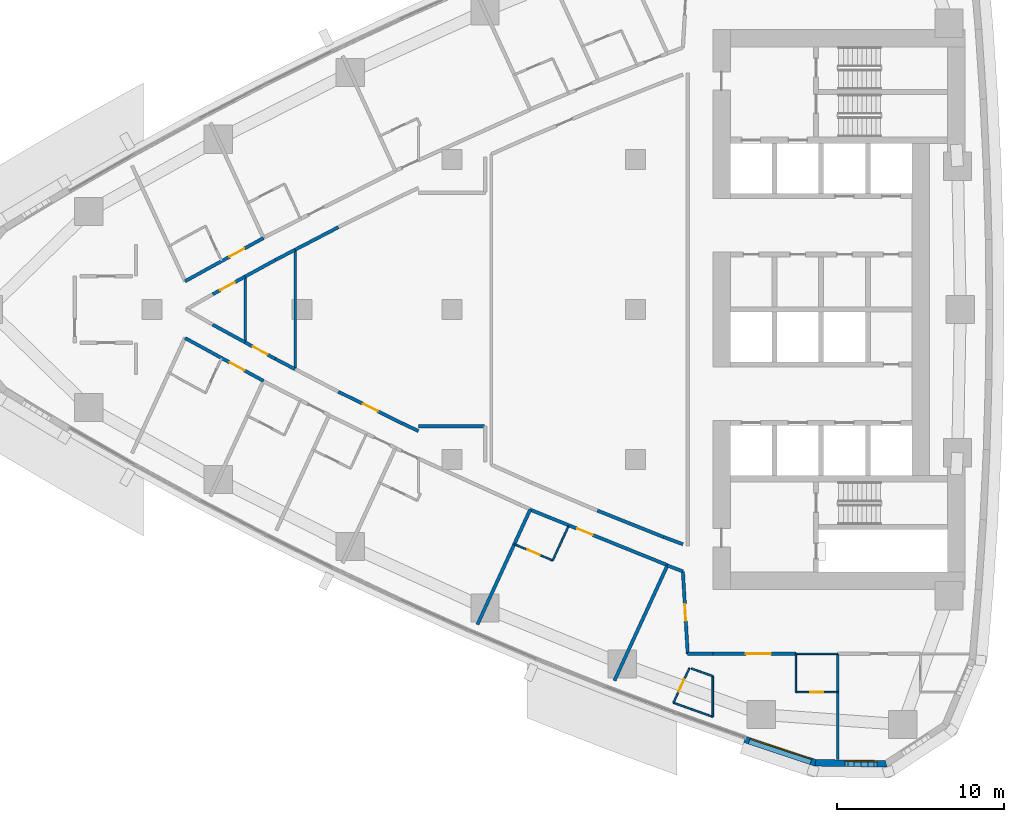
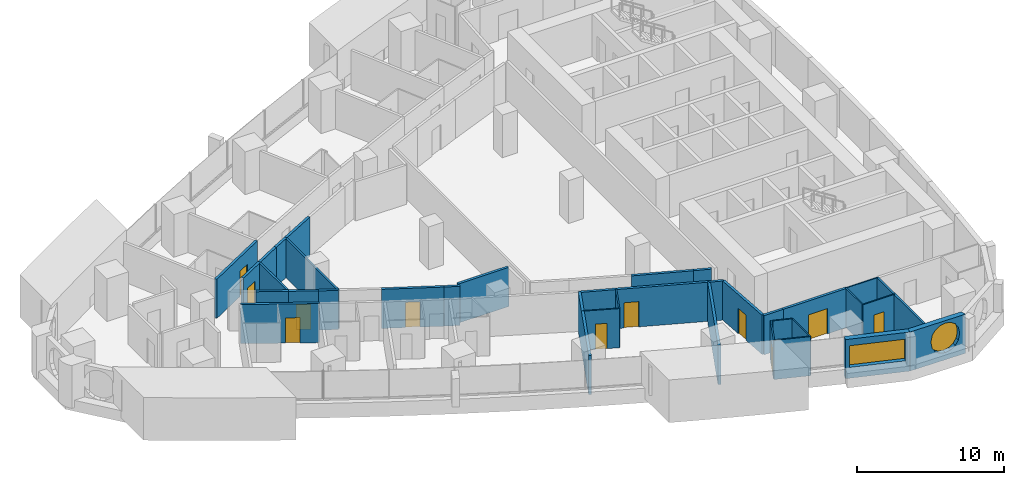
# One storey, part 9 of 17: 35 walls, 11 doors, 2 windows, 13 openings.
"""IFC4 building model written with IfcOpenShell, lengths in metres."""

import ifcopenshell
import ifcopenshell.guid

model = None  # the IFC model being written
_history = None  # IfcOwnerHistory: only IFC2X3 demands one
_inside = {}  # id of a spatial element -> (the spatial element, [elements in it])
_under = {}  # id of a project, library or spatial element -> (it, [spatial elements below it])
_declared = {}  # id of a project -> (the project, [libraries it declares])
_typed = {}  # id of a type object -> (the type object, [elements of that type])
_made_of = {}  # id of a material, layer set ... -> (it, [elements and type objects made of it])


def new_model(schema):
    """Start an empty IFC model of exactly this schema.

    Asked for "IFC4X3", IfcOpenShell would pick the latest addendum, in which some entities
    have other attributes; the version numbers below select the first issue.
    IFC2X3 requires an IfcOwnerHistory on every rooted entity: one is made here for all.
    """
    global model, _history
    if schema == "IFC4X3":
        model = ifcopenshell.file(schema_version=(4, 3, 0, 0))
    else:
        model = ifcopenshell.file(schema=schema)
    _inside.clear()
    _under.clear()
    _declared.clear()
    _typed.clear()
    _made_of.clear()
    _history = None
    if model.schema == "IFC2X3":
        org = make("IfcOrganization", Name="unknown")
        user = make(
            "IfcPersonAndOrganization",
            ThePerson=make("IfcPerson", FamilyName="unknown"),
            TheOrganization=org,
        )
        app = make(
            "IfcApplication",
            ApplicationDeveloper=org,
            Version="unknown",
            ApplicationFullName="unknown",
            ApplicationIdentifier="unknown",
        )
        _history = make(
            "IfcOwnerHistory",
            OwningUser=user,
            OwningApplication=app,
            ChangeAction="ADDED",
            CreationDate=0,
        )
    return model


def make(cls, **values):
    """One entity of the class cls with the attributes given. An attribute that is None is left unset."""
    return model.create_entity(
        cls, **{name: value for name, value in values.items() if value is not None}
    )


def rooted(cls, **values):
    """An entity with a GlobalId (a new one), such as an element, a storey or a relation."""
    return make(cls, GlobalId=ifcopenshell.guid.new(), OwnerHistory=_history, **values)


def si_unit(unit_type, name, prefix=None):
    """IfcSIUnit, for example si_unit("LENGTHUNIT", "METRE", prefix="MILLI")."""
    return make("IfcSIUnit", UnitType=unit_type, Prefix=prefix, Name=name)


def assignment(units):
    """IfcUnitAssignment: the units of a project."""
    return None if units is None else make("IfcUnitAssignment", Units=units)


def point(xyz):
    """IfcCartesianPoint."""
    return None if xyz is None else make("IfcCartesianPoint", Coordinates=xyz)


def direction(xyz):
    """IfcDirection."""
    return None if xyz is None else make("IfcDirection", DirectionRatios=xyz)


def frame(location, z_axis=None, x_axis=None):
    """IfcAxis2Placement3D, a coordinate frame: its origin and axes. An axis left out is left unset."""
    return make(
        "IfcAxis2Placement3D",
        Location=point(location),
        Axis=direction(z_axis),
        RefDirection=direction(x_axis),
    )


def frame_2d(location, x_axis=None):
    """IfcAxis2Placement2D, a coordinate frame in the plane: its origin and x axis."""
    return make(
        "IfcAxis2Placement2D", Location=point(location), RefDirection=direction(x_axis)
    )


def origin():
    """The frame at (0, 0, 0) with its axes left unset."""
    return frame((0.0, 0.0, 0.0))


def place(relative_to, where):
    """IfcLocalPlacement: puts the frame where relative to a parent placement (None: the world)."""
    return make(
        "IfcLocalPlacement", PlacementRelTo=relative_to, RelativePlacement=where
    )


def context(
    kind, dimensions, precision=None, world=None, true_north=None, identifier=None
):
    """IfcGeometricRepresentationContext, for example the 3D "Model" context."""
    return make(
        "IfcGeometricRepresentationContext",
        ContextIdentifier=identifier,
        ContextType=kind,
        CoordinateSpaceDimension=dimensions,
        Precision=precision,
        WorldCoordinateSystem=world,
        TrueNorth=true_north,
    )


def subcontext(parent, identifier, kind, view, scale=None):
    """IfcGeometricRepresentationSubContext, for example "Body" below "Model"."""
    return make(
        "IfcGeometricRepresentationSubContext",
        ContextIdentifier=identifier,
        ContextType=kind,
        ParentContext=parent,
        TargetScale=scale,
        TargetView=view,
    )


def project(units=None, contexts=None):
    """IfcProject with its units and contexts."""
    return rooted(
        "IfcProject",
        Name="project",
        RepresentationContexts=contexts,
        UnitsInContext=assignment(units),
    )


def spatial(cls, under=None, at=None, **own):
    """A site, building, storey or space (cls), placed at a placement, below another one or the project."""
    s = rooted(cls, ObjectPlacement=at, **own)
    if under is not None:
        _under.setdefault(under.id(), (under, []))[1].append(s)
    return s


def polyline(points):
    """IfcPolyline through the points."""
    return make("IfcPolyline", Points=[point(p) for p in points])


def profile(cls, at=None, kind="AREA", **sizes):
    """A parametric profile (cls). Its sizes go by their IFC names, for example OverallWidth=200.0."""
    return make(cls, ProfileType=kind, Position=at, **sizes)


def rectangle(**sizes):
    """IfcRectangleProfileDef."""
    return profile("IfcRectangleProfileDef", **sizes)


def outline(outer, holes=None, kind="AREA"):
    """IfcArbitraryClosedProfileDef: a profile drawn as a closed curve; with holes, ...WithVoids."""
    if holes is None:
        return make("IfcArbitraryClosedProfileDef", ProfileType=kind, OuterCurve=outer)
    return make(
        "IfcArbitraryProfileDefWithVoids",
        ProfileType=kind,
        OuterCurve=outer,
        InnerCurves=holes,
    )


def extrude(swept, where, along, depth):
    """IfcExtrudedAreaSolid: the profile swept, set in the frame where, extruded along a direction by depth."""
    return make(
        "IfcExtrudedAreaSolid",
        SweptArea=swept,
        Position=where,
        ExtrudedDirection=direction(along),
        Depth=depth,
    )


def shape(context_of_items, identifier, shape_type, items):
    """IfcShapeRepresentation: the items that make up one representation, for example the "Body"."""
    return make(
        "IfcShapeRepresentation",
        ContextOfItems=context_of_items,
        RepresentationIdentifier=identifier,
        RepresentationType=shape_type,
        Items=items,
    )


def material(Name=None, Category=None):
    """IfcMaterial."""
    return make("IfcMaterial", Name=Name, Category=Category)


def layer(
    of_material, thickness, ventilated=None, Name=None, Category=None, Priority=None
):
    """IfcMaterialLayer: one layer of a wall or slab, of a material (None: an air gap)."""
    return make(
        "IfcMaterialLayer",
        Material=of_material,
        LayerThickness=thickness,
        IsVentilated=ventilated,
        Name=Name,
        Category=Category,
        Priority=Priority,
    )


def layer_set(layers, Name=None):
    """IfcMaterialLayerSet."""
    return make("IfcMaterialLayerSet", MaterialLayers=layers, LayerSetName=Name)


def made_of(thing, what):
    """Note that an element or type object is made of a material, layer set ...; save() writes the relation."""
    if what is not None:
        _made_of.setdefault(what.id(), (what, []))[1].append(thing)
    return thing


def type_object(cls, material=None, **own):
    """A type object (cls), such as IfcWallType, which elements share."""
    return made_of(rooted(cls, **own), material)


def element(
    cls,
    number,
    at=None,
    inside=None,
    cuts=None,
    type_object=None,
    material=None,
    context=None,
    identifier="Body",
    shape_type=None,
    held_by="IfcProductDefinitionShape",
    body=None,
    shapes=None,
    **own,
):
    """One element of the class cls, such as IfcWall. Its Tag is "e" and its number.

    at: its placement. inside: the storey or other place that contains it. cuts: it is an
    opening in that element (IfcRelVoidsElement). A single representation is given by context,
    identifier, shape_type and body (its items); several are given by shapes. held_by: the class
    of the entity that holds the representations. save() writes the other relations.
    """
    e = rooted(cls, Tag="e%d" % number, ObjectPlacement=at, **own)
    if body is not None:
        shapes = [shape(context, identifier, shape_type, body)]
    if shapes is not None:
        e.Representation = make(held_by, Representations=shapes)
    if inside is not None:
        _inside.setdefault(inside.id(), (inside, []))[1].append(e)
    if cuts is not None:
        rooted(
            "IfcRelVoidsElement", RelatingBuildingElement=cuts, RelatedOpeningElement=e
        )
    if type_object is not None:
        _typed.setdefault(type_object.id(), (type_object, []))[1].append(e)
    return made_of(e, material)


def fill(opening, filler):
    """IfcRelFillsElement: the door or window that sits in an opening."""
    return rooted(
        "IfcRelFillsElement",
        RelatingOpeningElement=opening,
        RelatedBuildingElement=filler,
    )


def aggregate(whole, parts):
    """IfcRelAggregates: a whole, such as a stair, and the parts it consists of."""
    return rooted("IfcRelAggregates", RelatingObject=whole, RelatedObjects=parts)


def save(model, path):
    """Write the relations noted so far, then the file.

    IfcRelAggregates (storeys below a building ...), IfcRelContainedInSpatialStructure (elements
    in a storey), IfcRelDefinesByType, IfcRelAssociatesMaterial and IfcRelDeclares: one each for
    every whole, place, type object, material and project.
    """
    for whole, parts in _under.values():
        aggregate(whole, parts)
    for where, things in _inside.values():
        rooted(
            "IfcRelContainedInSpatialStructure",
            RelatedElements=things,
            RelatingStructure=where,
        )
    for kind, things in _typed.values():
        rooted("IfcRelDefinesByType", RelatedObjects=things, RelatingType=kind)
    for what, things in _made_of.values():
        rooted("IfcRelAssociatesMaterial", RelatedObjects=things, RelatingMaterial=what)
    for by, libraries in _declared.values():
        rooted("IfcRelDeclares", RelatingContext=by, RelatedDefinitions=libraries)
    model.write(path)


model = new_model("IFC4")

# Units and contexts
model_context = context("Model", 3, precision=1e-05, world=origin(), true_north=direction((0.0, 1.0)))
body_context = subcontext(model_context, "Body", "Model", "MODEL_VIEW")
ifc_project = project(units=[si_unit("LENGTHUNIT", "METRE"), si_unit("AREAUNIT", "SQUARE_METRE"), si_unit("VOLUMEUNIT", "CUBIC_METRE"), si_unit("PLANEANGLEUNIT", "RADIAN"), si_unit("MASSUNIT", "GRAM", prefix="KILO")], contexts=[model_context])

# Site, building, storey
site_placement = place(None, origin())
site = spatial("IfcSite", under=ifc_project, at=site_placement, CompositionType="ELEMENT")
building_placement = place(site_placement, origin())
building = spatial("IfcBuilding", under=site, at=building_placement, Name="Ostrand Prow Hotel Tower", CompositionType="ELEMENT")
storey_placement = place(building_placement, frame((0.0, 0.0, 99.10009765625)))
storey = spatial("IfcBuildingStorey", under=building, at=storey_placement, Name="L23", CompositionType="ELEMENT", Elevation=99.10009765625)

# Wall
ifc_material_1 = material(Name="Plasterboard partition")
ifc_layer_1 = layer(ifc_material_1, 0.10009765625)
ifc_layer_set_1 = layer_set([ifc_layer_1], Name="Plasterboard partition")
wall_type_1 = type_object("IfcWallType", Name="Partition 100 bathroom wall", PredefinedType="PARTITIONING", material=ifc_layer_set_1)
wall_1_placement = place(storey_placement, frame((54.630615234375, -22.949951171875, 0.0), z_axis=(0.0, 0.0, 1.0), x_axis=(0.0, 1.0, 0.0)))
element("IfcWall", 1, at=wall_1_placement, inside=storey, type_object=wall_type_1, Name="BATHROOM WALL", PredefinedType="PARTITIONING", context=body_context, shape_type="SweptSolid", body=[
    extrude(rectangle(XDim=2.300048828125, YDim=0.10009765625, at=frame_2d((1.14990234375, 0.0))), origin(), (0.0, 0.0, 1.0), 3.25),
])

# Wall, opening, door
wall_2_placement = place(storey_placement, frame((57.130615234375, -22.949951171875, 0.0), z_axis=(0.0, 0.0, 1.0), x_axis=(-1.0, 0.0, 0.0)))
wall_2 = element("IfcWall", 2, at=wall_2_placement, inside=storey, type_object=wall_type_1, Name="BATHROOM WALL", PredefinedType="PARTITIONING", context=body_context, shape_type="SweptSolid", body=[
    extrude(rectangle(XDim=2.5, YDim=0.10009765625, at=frame_2d((1.25, 0.0))), origin(), (0.0, 0.0, 1.0), 3.25),
])
opening_1_placement = place(wall_2_placement, frame((0.85009765625, 0.0, 0.0)))
opening_1 = element("IfcOpeningElement", 3, at=opening_1_placement, cuts=wall_2, Name="Opening D2", PredefinedType="OPENING", context=body_context, shape_type="SweptSolid", body=[
    extrude(rectangle(XDim=0.800048828125, YDim=2.10009765625, at=frame_2d((0.39990234375, 1.050048828125))), frame((0.0, 0.06005859375, 0.0), z_axis=(0.0, -1.0, 0.0), x_axis=(1.0, 0.0, 0.0)), (0.0, 0.0, 1.0), 0.1201171875),
])
ifc_material_2 = material(Name="Timber door leaf", Category="wood")
door_type_1 = type_object("IfcDoorType", Name="Bathroom door 800", OperationType="SINGLE_SWING_LEFT", PredefinedType="DOOR", material=ifc_material_2)
door_1_placement = place(opening_1_placement, origin())
door_1 = element("IfcDoor", 4, at=door_1_placement, inside=storey, type_object=door_type_1, Name="DOOR", OperationType="SINGLE_SWING_LEFT", OverallHeight=2.10009765625, OverallWidth=0.800048828125, PredefinedType="DOOR", context=body_context, shape_type="SweptSolid", body=[
    extrude(rectangle(XDim=0.800048828125, YDim=2.10009765625, at=frame_2d((0.39990234375, 1.050048828125))), frame((0.0, 0.02490234375, 0.0), z_axis=(0.0, -1.0, 0.0), x_axis=(1.0, 0.0, 0.0)), (0.0, 0.0, 1.0), 0.050048828125),
])
fill(opening_1, door_1)

# Wall
wall_3_placement = place(storey_placement, frame((40.99853515625, -12.983642578125, 0.0), z_axis=(0.0, 0.0, 1.0), x_axis=(-0.417433204355, -0.908707609686, 0.0)))
element("IfcWall", 5, at=wall_3_placement, inside=storey, type_object=wall_type_1, Name="BATHROOM WALL", PredefinedType="PARTITIONING", context=body_context, shape_type="SweptSolid", body=[
    extrude(rectangle(XDim=2.278076171875, YDim=0.10009765625, at=frame_2d((1.13916015625, 0.0))), origin(), (0.0, 0.0, 1.0), 3.25),
])

# Wall, opening, door
wall_4_placement = place(storey_placement, frame((40.047607421875, -15.0537109375, 0.0), z_axis=(0.0, 0.0, 1.0), x_axis=(-0.921042675983, 0.38946166566, 0.0)))
wall_4 = element("IfcWall", 6, at=wall_4_placement, inside=storey, type_object=wall_type_1, Name="BATHROOM WALL", PredefinedType="PARTITIONING", context=body_context, shape_type="SweptSolid", body=[
    extrude(rectangle(XDim=2.501220703125, YDim=0.10009765625, at=frame_2d((1.25048828125, 0.0))), origin(), (0.0, 0.0, 1.0), 3.25),
])
opening_2_placement = place(wall_4_placement, frame((0.85009765625, 0.0, 0.0)))
opening_2 = element("IfcOpeningElement", 7, at=opening_2_placement, cuts=wall_4, Name="Opening D2", PredefinedType="OPENING", context=body_context, shape_type="SweptSolid", body=[
    extrude(rectangle(XDim=0.800048828125, YDim=2.10009765625, at=frame_2d((0.39990234375, 1.050048828125))), frame((0.0, 0.06005859375, 0.0), z_axis=(0.0, -1.0, 0.0), x_axis=(1.0, 0.0, 0.0)), (0.0, 0.0, 1.0), 0.1201171875),
])
door_2_placement = place(opening_2_placement, origin())
door_2 = element("IfcDoor", 8, at=door_2_placement, inside=storey, type_object=door_type_1, Name="DOOR", OperationType="SINGLE_SWING_LEFT", OverallHeight=2.10009765625, OverallWidth=0.800048828125, PredefinedType="DOOR", context=body_context, shape_type="SweptSolid", body=[
    extrude(rectangle(XDim=0.800048828125, YDim=2.10009765625, at=frame_2d((0.39990234375, 1.050048828125))), frame((0.0, 0.02490234375, 0.0), z_axis=(0.0, -1.0, 0.0), x_axis=(1.0, 0.0, 0.0)), (0.0, 0.0, 1.0), 0.050048828125),
])
fill(opening_2, door_2)

# Wall
wall_5_placement = place(storey_placement, frame((48.36279296875, -21.5400390625, 0.0), z_axis=(0.0, 0.0, 1.0), x_axis=(0.942692856107, -0.333661773425, 0.0)))
element("IfcWall", 9, at=wall_5_placement, inside=storey, type_object=wall_type_1, Name="BATHROOM WALL", PredefinedType="PARTITIONING", context=body_context, shape_type="SweptSolid", body=[
    extrude(rectangle(XDim=1.365234375, YDim=0.10009765625, at=frame_2d((0.6826171875, 0.0))), origin(), (0.0, 0.0, 1.0), 3.25),
])

# Wall, opening, door
wall_6_placement = place(storey_placement, frame((47.285888671875, -23.59228515625, 0.0), z_axis=(0.0, 0.0, 1.0), x_axis=(0.41749308293, 0.908680100864, 0.0)))
wall_6 = element("IfcWall", 10, at=wall_6_placement, inside=storey, type_object=wall_type_1, Name="BATHROOM WALL", PredefinedType="PARTITIONING", context=body_context, shape_type="SweptSolid", body=[
    extrude(rectangle(XDim=2.3056640625, YDim=0.10009765625, at=frame_2d((1.15283203125, 0.0))), origin(), (0.0, 0.0, 1.0), 3.25),
])
opening_3_placement = place(wall_6_placement, frame((0.75, 0.0, 0.0)))
opening_3 = element("IfcOpeningElement", 11, at=opening_3_placement, cuts=wall_6, Name="Opening D2", PredefinedType="OPENING", context=body_context, shape_type="SweptSolid", body=[
    extrude(rectangle(XDim=0.800048828125, YDim=2.10009765625, at=frame_2d((0.39990234375, 1.050048828125))), frame((0.0, 0.06005859375, 0.0), z_axis=(0.0, -1.0, 0.0), x_axis=(1.0, 0.0, 0.0)), (0.0, 0.0, 1.0), 0.1201171875),
])
door_3_placement = place(opening_3_placement, origin())
door_3 = element("IfcDoor", 12, at=door_3_placement, inside=storey, type_object=door_type_1, Name="DOOR", OperationType="SINGLE_SWING_LEFT", OverallHeight=2.10009765625, OverallWidth=0.800048828125, PredefinedType="DOOR", context=body_context, shape_type="SweptSolid", body=[
    extrude(rectangle(XDim=0.800048828125, YDim=2.10009765625, at=frame_2d((0.39990234375, 1.050048828125))), frame((0.0, 0.02490234375, 0.0), z_axis=(0.0, -1.0, 0.0), x_axis=(1.0, 0.0, 0.0)), (0.0, 0.0, 1.0), 0.050048828125),
])
fill(opening_3, door_3)

# Walls
wall_7_placement = place(storey_placement, frame((54.630615234375, -20.655029296875, 0.0), z_axis=(0.0, 0.0, 1.0), x_axis=(1.0, 0.0, 0.0)))
element("IfcWall", 13, at=wall_7_placement, inside=storey, type_object=wall_type_1, Name="BATHROOM WALL", PredefinedType="PARTITIONING", context=body_context, shape_type="SweptSolid", body=[
    extrude(rectangle(XDim=2.5, YDim=0.10009765625, at=frame_2d((1.25, 0.0))), origin(), (0.0, 0.0, 1.0), 3.25),
])
wall_8_placement = place(storey_placement, frame((49.64990234375, -21.99560546875, 0.0), z_axis=(0.0, 0.0, 1.0), x_axis=(0.0, -1.0, 0.0)))
element("IfcWall", 14, at=wall_8_placement, inside=storey, type_object=wall_type_1, Name="BATHROOM WALL", PredefinedType="PARTITIONING", context=body_context, shape_type="SweptSolid", body=[
    extrude(rectangle(XDim=2.439453125, YDim=0.10009765625, at=frame_2d((1.2197265625, 0.0))), origin(), (0.0, 0.0, 1.0), 3.25),
])
wall_9_placement = place(storey_placement, frame((49.64990234375, -24.43505859375, 0.0), z_axis=(0.0, 0.0, 1.0), x_axis=(-0.941933231826, 0.335800218555, 0.0)))
element("IfcWall", 15, at=wall_9_placement, inside=storey, type_object=wall_type_1, Name="BATHROOM WALL", PredefinedType="PARTITIONING", context=body_context, shape_type="SweptSolid", body=[
    extrude(rectangle(XDim=2.509765625, YDim=0.10009765625, at=frame_2d((1.2548828125, 0.0))), origin(), (0.0, 0.0, 1.0), 3.25),
])
ifc_material_3 = material(Name="Plasterboard partition")
ifc_layer_2 = layer(ifc_material_3, 0.14990234375)
ifc_layer_set_2 = layer_set([ifc_layer_2], Name="Plasterboard partition")
wall_type_2 = type_object("IfcWallType", Name="Partition 150 room partition", PredefinedType="PARTITIONING", material=ifc_layer_set_2)
wall_10_placement = place(storey_placement, frame((57.130615234375, -26.97900390625, 0.0), z_axis=(0.0, 0.0, 1.0), x_axis=(0.0, 1.0, 0.0)))
element("IfcWall", 16, at=wall_10_placement, inside=storey, type_object=wall_type_2, Name="ROOM PARTITION", PredefinedType="PARTITIONING", context=body_context, shape_type="SweptSolid", body=[
    extrude(rectangle(XDim=6.3291015625, YDim=0.14990234375, at=frame_2d((3.16455078125, 0.0))), origin(), (0.0, 0.0, 1.0), 3.25),
])
wall_11_placement = place(storey_placement, frame((21.59765625, -1.972900390625, 0.0), z_axis=(0.0, 0.0, 1.0), x_axis=(0.0, 1.0, 0.0)))
element("IfcWall", 17, at=wall_11_placement, inside=storey, type_object=wall_type_2, Name="ROOM PARTITION", PredefinedType="PARTITIONING", context=body_context, shape_type="SweptSolid", body=[
    extrude(rectangle(XDim=3.94580078125, YDim=0.14990234375, at=frame_2d((1.972900390625, 0.0))), origin(), (0.0, 0.0, 1.0), 3.25),
])
wall_12_placement = place(storey_placement, frame((24.59765625, -3.582275390625, 0.0), z_axis=(0.0, 0.0, 1.0), x_axis=(0.0, 1.0, 0.0)))
element("IfcWall", 18, at=wall_12_placement, inside=storey, type_object=wall_type_2, Name="ROOM PARTITION", PredefinedType="PARTITIONING", context=body_context, shape_type="SweptSolid", body=[
    extrude(rectangle(XDim=7.16455078125, YDim=0.14990234375, at=frame_2d((3.582275390625, 0.0))), origin(), (0.0, 0.0, 1.0), 3.25),
])

# Wall, opening, door
ifc_material_4 = material(Name="Plasterboard partition")
ifc_layer_3 = layer(ifc_material_4, 0.199951171875)
ifc_layer_set_3 = layer_set([ifc_layer_3], Name="Plasterboard partition")
wall_type_3 = type_object("IfcWallType", Name="Partition 200 corridor wall", PredefinedType="PARTITIONING", material=ifc_layer_set_3)
wall_13_placement = place(storey_placement, frame((18.0, 1.691650390625, 0.0), z_axis=(0.0, 0.0, 1.0), x_axis=(0.875548487611, 0.483130257634, 0.0)))
wall_13 = element("IfcWall", 19, at=wall_13_placement, inside=storey, type_object=wall_type_3, Name="CORRIDOR WALL", PredefinedType="PARTITIONING", context=body_context, shape_type="SweptSolid", body=[
    extrude(rectangle(XDim=5.36669921875, YDim=0.199951171875, at=frame_2d((2.683349609375, 0.0))), origin(), (0.0, 0.0, 1.0), 3.25),
])
opening_4_placement = place(wall_13_placement, frame((3.050048828125, 0.0, 0.0)))
opening_4 = element("IfcOpeningElement", 20, at=opening_4_placement, cuts=wall_13, Name="Opening D1", PredefinedType="OPENING", context=body_context, shape_type="SweptSolid", body=[
    extrude(rectangle(XDim=1.0, YDim=2.10009765625, at=frame_2d((0.5, 1.050048828125))), frame((0.0, 0.10986328125, 0.0), z_axis=(0.0, -1.0, 0.0), x_axis=(1.0, 0.0, 0.0)), (0.0, 0.0, 1.0), 0.219970703125),
])
ifc_material_5 = material(Name="Timber door leaf", Category="wood")
door_type_2 = type_object("IfcDoorType", Name="Guest room door 1000", OperationType="SINGLE_SWING_LEFT", PredefinedType="DOOR", material=ifc_material_5)
door_4_placement = place(opening_4_placement, origin())
door_4 = element("IfcDoor", 21, at=door_4_placement, inside=storey, type_object=door_type_2, Name="DOOR", OperationType="SINGLE_SWING_LEFT", OverallHeight=2.10009765625, OverallWidth=1.0, PredefinedType="DOOR", context=body_context, shape_type="SweptSolid", body=[
    extrude(rectangle(XDim=1.0, YDim=2.10009765625, at=frame_2d((0.5, 1.050048828125))), frame((0.0, 0.02490234375, 0.0), z_axis=(0.0, -1.0, 0.0), x_axis=(1.0, 0.0, 0.0)), (0.0, 0.0, 1.0), 0.050048828125),
])
fill(opening_4, door_4)

wall_14_placement = place(storey_placement, frame((18.0, -1.714599609375, 0.0), z_axis=(0.0, 0.0, 1.0), x_axis=(0.877354946945, -0.479841950096, 0.0)))
wall_14 = element("IfcWall", 22, at=wall_14_placement, inside=storey, type_object=wall_type_3, Name="CORRIDOR WALL", PredefinedType="PARTITIONING", context=body_context, shape_type="SweptSolid", body=[
    extrude(rectangle(XDim=5.35546875, YDim=0.199951171875, at=frame_2d((2.677734375, 0.0))), origin(), (0.0, 0.0, 1.0), 3.25),
])
opening_5_placement = place(wall_14_placement, frame((3.050048828125, 0.0, 0.0)))
opening_5 = element("IfcOpeningElement", 23, at=opening_5_placement, cuts=wall_14, Name="Opening D1R", PredefinedType="OPENING", context=body_context, shape_type="SweptSolid", body=[
    extrude(rectangle(XDim=1.0, YDim=2.10009765625, at=frame_2d((0.5, 1.050048828125))), frame((0.0, 0.10986328125, 0.0), z_axis=(0.0, -1.0, 0.0), x_axis=(1.0, 0.0, 0.0)), (0.0, 0.0, 1.0), 0.219970703125),
])
ifc_material_6 = material(Name="Timber door leaf", Category="wood")
door_type_3 = type_object("IfcDoorType", Name="Guest room door 1000 right", OperationType="SINGLE_SWING_RIGHT", PredefinedType="DOOR", material=ifc_material_6)
door_5_placement = place(opening_5_placement, origin())
door_5 = element("IfcDoor", 24, at=door_5_placement, inside=storey, type_object=door_type_3, Name="DOOR", OperationType="SINGLE_SWING_RIGHT", OverallHeight=2.10009765625, OverallWidth=1.0, PredefinedType="DOOR", context=body_context, shape_type="SweptSolid", body=[
    extrude(rectangle(XDim=1.0, YDim=2.10009765625, at=frame_2d((0.5, 1.050048828125))), frame((0.0, 0.02490234375, 0.0), z_axis=(0.0, -1.0, 0.0), x_axis=(1.0, 0.0, 0.0)), (0.0, 0.0, 1.0), 0.050048828125),
])
fill(opening_5, door_5)

wall_15_placement = place(storey_placement, frame((38.696044921875, -12.0068359375, 0.0), z_axis=(0.0, 0.0, 1.0), x_axis=(0.927027566285, -0.374993188401, 0.0)))
wall_15 = element("IfcWall", 25, at=wall_15_placement, inside=storey, type_object=wall_type_3, Name="CORRIDOR WALL", PredefinedType="PARTITIONING", context=body_context, shape_type="SweptSolid", body=[
    extrude(rectangle(XDim=8.885009765625, YDim=0.199951171875, at=frame_2d((4.4423828125, 0.0))), origin(), (0.0, 0.0, 1.0), 3.25),
])
opening_6_placement = place(wall_15_placement, frame((3.050048828125, 0.0, 0.0)))
opening_6 = element("IfcOpeningElement", 26, at=opening_6_placement, cuts=wall_15, Name="Opening D1R", PredefinedType="OPENING", context=body_context, shape_type="SweptSolid", body=[
    extrude(rectangle(XDim=1.0, YDim=2.10009765625, at=frame_2d((0.5, 1.050048828125))), frame((0.0, 0.10986328125, 0.0), z_axis=(0.0, -1.0, 0.0), x_axis=(1.0, 0.0, 0.0)), (0.0, 0.0, 1.0), 0.219970703125),
])
door_6_placement = place(opening_6_placement, origin())
door_6 = element("IfcDoor", 27, at=door_6_placement, inside=storey, type_object=door_type_3, Name="DOOR", OperationType="SINGLE_SWING_RIGHT", OverallHeight=2.10009765625, OverallWidth=1.0, PredefinedType="DOOR", context=body_context, shape_type="SweptSolid", body=[
    extrude(rectangle(XDim=1.0, YDim=2.10009765625, at=frame_2d((0.5, 1.050048828125))), frame((0.0, 0.02490234375, 0.0), z_axis=(0.0, -1.0, 0.0), x_axis=(1.0, 0.0, 0.0)), (0.0, 0.0, 1.0), 0.050048828125),
])
fill(opening_6, door_6)

wall_16_placement = place(storey_placement, frame((19.6572265625, 0.912353515625, 0.0), z_axis=(0.0, 0.0, 1.0), x_axis=(0.877490210137, 0.479594548671, 0.0)))
wall_16 = element("IfcWall", 28, at=wall_16_placement, inside=storey, type_object=wall_type_3, Name="CORRIDOR WALL", PredefinedType="PARTITIONING", context=body_context, shape_type="SweptSolid", body=[
    extrude(rectangle(XDim=2.21142578125, YDim=0.199951171875, at=frame_2d((1.105712890625, 0.0))), origin(), (0.0, 0.0, 1.0), 3.25),
])
opening_7_placement = place(wall_16_placement, frame((0.505615234375, 0.0, 0.0)))
opening_7 = element("IfcOpeningElement", 29, at=opening_7_placement, cuts=wall_16, Name="Opening D1R", PredefinedType="OPENING", context=body_context, shape_type="SweptSolid", body=[
    extrude(rectangle(XDim=1.0, YDim=2.10009765625, at=frame_2d((0.5, 1.050048828125))), frame((0.0, 0.10986328125, 0.0), z_axis=(0.0, -1.0, 0.0), x_axis=(1.0, 0.0, 0.0)), (0.0, 0.0, 1.0), 0.219970703125),
])
door_7_placement = place(opening_7_placement, origin())
door_7 = element("IfcDoor", 30, at=door_7_placement, inside=storey, type_object=door_type_3, Name="DOOR", OperationType="SINGLE_SWING_RIGHT", OverallHeight=2.10009765625, OverallWidth=1.0, PredefinedType="DOOR", context=body_context, shape_type="SweptSolid", body=[
    extrude(rectangle(XDim=1.0, YDim=2.10009765625, at=frame_2d((0.5, 1.050048828125))), frame((0.0, 0.02490234375, 0.0), z_axis=(0.0, -1.0, 0.0), x_axis=(1.0, 0.0, 0.0)), (0.0, 0.0, 1.0), 0.050048828125),
])
fill(opening_7, door_7)

# Wall
wall_17_placement = place(storey_placement, frame((21.59765625, -1.972900390625, 0.0), z_axis=(0.0, 0.0, 1.0), x_axis=(-0.877490210137, 0.479594548671, 0.0)))
element("IfcWall", 31, at=wall_17_placement, inside=storey, type_object=wall_type_3, Name="CORRIDOR WALL", PredefinedType="PARTITIONING", context=body_context, shape_type="SweptSolid", body=[
    extrude(rectangle(XDim=2.21142578125, YDim=0.199951171875, at=frame_2d((1.105712890625, 0.0))), origin(), (0.0, 0.0, 1.0), 3.25),
])

# Wall, opening, door
wall_18_placement = place(storey_placement, frame((23.40673828125, -2.9619140625, 0.0), z_axis=(0.0, 0.0, 1.0), x_axis=(-0.877438115071, 0.479689852113, 0.0)))
wall_18 = element("IfcWall", 32, at=wall_18_placement, inside=storey, type_object=wall_type_3, Name="CORRIDOR WALL", PredefinedType="PARTITIONING", context=body_context, shape_type="SweptSolid", body=[
    extrude(rectangle(XDim=2.061767578125, YDim=0.199951171875, at=frame_2d((1.03076171875, 0.0))), origin(), (0.0, 0.0, 1.0), 3.25),
])
opening_8_placement = place(wall_18_placement, frame((0.531005859375, 0.0, 0.0)))
opening_8 = element("IfcOpeningElement", 33, at=opening_8_placement, cuts=wall_18, Name="Opening D1", PredefinedType="OPENING", context=body_context, shape_type="SweptSolid", body=[
    extrude(rectangle(XDim=1.0, YDim=2.10009765625, at=frame_2d((0.5, 1.050048828125))), frame((0.0, 0.10986328125, 0.0), z_axis=(0.0, -1.0, 0.0), x_axis=(1.0, 0.0, 0.0)), (0.0, 0.0, 1.0), 0.219970703125),
])
door_8_placement = place(opening_8_placement, origin())
door_8 = element("IfcDoor", 34, at=door_8_placement, inside=storey, type_object=door_type_2, Name="DOOR", OperationType="SINGLE_SWING_LEFT", OverallHeight=2.10009765625, OverallWidth=1.0, PredefinedType="DOOR", context=body_context, shape_type="SweptSolid", body=[
    extrude(rectangle(XDim=1.0, YDim=2.10009765625, at=frame_2d((0.5, 1.050048828125))), frame((0.0, 0.02490234375, 0.0), z_axis=(0.0, -1.0, 0.0), x_axis=(1.0, 0.0, 0.0)), (0.0, 0.0, 1.0), 0.050048828125),
])
fill(opening_8, door_8)

# Walls
wall_19_placement = place(storey_placement, frame((21.59765625, 1.972900390625, 0.0), z_axis=(0.0, 0.0, 1.0), x_axis=(0.877438115071, 0.479689852113, 0.0)))
element("IfcWall", 35, at=wall_19_placement, inside=storey, type_object=wall_type_3, Name="CORRIDOR WALL", PredefinedType="PARTITIONING", context=body_context, shape_type="SweptSolid", body=[
    extrude(rectangle(XDim=2.061767578125, YDim=0.199951171875, at=frame_2d((1.03076171875, 0.0))), origin(), (0.0, 0.0, 1.0), 3.25),
])
for number, where, z_axis, x_axis, name in (
    (36, (23.40673828125, 2.9619140625, 0.0), (0.0, 0.0, 1.0), (0.88688614944, 0.461988049555, 0.0), "CORRIDOR WALL"),
    (37, (24.59765625, -3.582275390625, 0.0), (0.0, 0.0, 1.0), (-0.88688614944, 0.461988049555, 0.0), "CORRIDOR WALL"),
):
    element("IfcWall", number, at=place(storey_placement, frame(where, z_axis=z_axis, x_axis=x_axis)), inside=storey, type_object=wall_type_3, Name=name, PredefinedType="PARTITIONING", context=body_context, shape_type="SweptSolid", body=[
        extrude(rectangle(XDim=1.3427734375, YDim=0.199951171875, at=frame_2d((0.67138671875, 0.0))), origin(), (0.0, 0.0, 1.0), 3.25),
    ])

# Wall, opening, door
wall_20_placement = place(storey_placement, frame((31.02490234375, -6.83349609375, 0.0), z_axis=(0.0, 0.0, 1.0), x_axis=(-0.895975836328, 0.44410280422, 0.0)))
wall_20 = element("IfcWall", 38, at=wall_20_placement, inside=storey, type_object=wall_type_3, Name="CORRIDOR WALL", PredefinedType="PARTITIONING", context=body_context, shape_type="SweptSolid", body=[
    extrude(rectangle(XDim=4.273193359375, YDim=0.199951171875, at=frame_2d((2.13671875, 0.0))), origin(), (0.0, 0.0, 1.0), 3.25),
])
opening_9_placement = place(wall_20_placement, frame((1.636474609375, 0.0, 0.0)))
opening_9 = element("IfcOpeningElement", 39, at=opening_9_placement, cuts=wall_20, Name="Opening D1R", PredefinedType="OPENING", context=body_context, shape_type="SweptSolid", body=[
    extrude(rectangle(XDim=1.0, YDim=2.10009765625, at=frame_2d((0.5, 1.050048828125))), frame((0.0, 0.10986328125, 0.0), z_axis=(0.0, -1.0, 0.0), x_axis=(1.0, 0.0, 0.0)), (0.0, 0.0, 1.0), 0.219970703125),
])
door_9_placement = place(opening_9_placement, origin())
door_9 = element("IfcDoor", 40, at=door_9_placement, inside=storey, type_object=door_type_3, Name="DOOR", OperationType="SINGLE_SWING_RIGHT", OverallHeight=2.10009765625, OverallWidth=1.0, PredefinedType="DOOR", context=body_context, shape_type="SweptSolid", body=[
    extrude(rectangle(XDim=1.0, YDim=2.10009765625, at=frame_2d((0.5, 1.050048828125))), frame((0.0, 0.02490234375, 0.0), z_axis=(0.0, -1.0, 0.0), x_axis=(1.0, 0.0, 0.0)), (0.0, 0.0, 1.0), 0.050048828125),
])
fill(opening_9, door_9)

# Walls
wall_21_placement = place(storey_placement, frame((32.0, -7.292724609375, 0.0), z_axis=(0.0, 0.0, 1.0), x_axis=(-0.904690325494, 0.426069730159, 0.0)))
element("IfcWall", 41, at=wall_21_placement, inside=storey, type_object=wall_type_3, Name="CORRIDOR WALL", PredefinedType="PARTITIONING", context=body_context, shape_type="SweptSolid", body=[
    extrude(rectangle(XDim=1.077880859375, YDim=0.199951171875, at=frame_2d((0.5390625, 0.0))), origin(), (0.0, 0.0, 1.0), 3.25),
])
wall_22_placement = place(storey_placement, frame((24.59765625, 3.582275390625, 0.0), z_axis=(0.0, 0.0, 1.0), x_axis=(0.886905549588, 0.461950804859, 0.0)))
element("IfcWall", 42, at=wall_22_placement, inside=storey, type_object=wall_type_3, Name="CORRIDOR WALL", PredefinedType="PARTITIONING", context=body_context, shape_type="SweptSolid", body=[
    extrude(rectangle(XDim=2.929931640625, YDim=0.199951171875, at=frame_2d((1.46484375, 0.0))), origin(), (0.0, 0.0, 1.0), 3.25),
])
wall_23_placement = place(storey_placement, frame((46.69580078125, -13.646728515625, 0.0), z_axis=(0.0, 0.0, 1.0), x_axis=(-0.928638161177, 0.370986745864, 0.0)))
element("IfcWall", 43, at=wall_23_placement, inside=storey, type_object=wall_type_3, Name="CORRIDOR WALL", PredefinedType="PARTITIONING", context=body_context, shape_type="SweptSolid", body=[
    extrude(rectangle(XDim=4.27294921875, YDim=0.199951171875, at=frame_2d((2.136474609375, 0.0))), origin(), (0.0, 0.0, 1.0), 3.25),
])

# Wall, opening, door
wall_24_placement = place(storey_placement, frame((49.64990234375, -20.655029296875, 0.0), z_axis=(0.0, 0.0, 1.0), x_axis=(1.0, 0.0, 0.0)))
wall_24 = element("IfcWall", 44, at=wall_24_placement, inside=storey, type_object=wall_type_3, Name="CORRIDOR WALL", PredefinedType="PARTITIONING", context=body_context, shape_type="SweptSolid", body=[
    extrude(rectangle(XDim=4.9755859375, YDim=0.199951171875, at=frame_2d((2.48779296875, 0.0))), origin(), (0.0, 0.0, 1.0), 3.25),
])
opening_10_placement = place(wall_24_placement, frame((1.98779296875, 0.0, 0.0)))
opening_10 = element("IfcOpeningElement", 45, at=opening_10_placement, cuts=wall_24, Name="Opening D15", PredefinedType="OPENING", context=body_context, shape_type="SweptSolid", body=[
    extrude(rectangle(XDim=1.5, YDim=2.10009765625, at=frame_2d((0.75, 1.050048828125))), frame((0.0, 0.10986328125, 0.0), z_axis=(0.0, -1.0, 0.0), x_axis=(1.0, 0.0, 0.0)), (0.0, 0.0, 1.0), 0.219970703125),
])
ifc_material_7 = material(Name="Timber door leaf", Category="wood")
door_type_4 = type_object("IfcDoorType", Name="Double door 1500", OperationType="DOUBLE_DOOR_SINGLE_SWING", PredefinedType="DOOR", material=ifc_material_7)
door_10_placement = place(opening_10_placement, origin())
door_10 = element("IfcDoor", 46, at=door_10_placement, inside=storey, type_object=door_type_4, Name="DOOR", OperationType="DOUBLE_DOOR_SINGLE_SWING", OverallHeight=2.10009765625, OverallWidth=1.5, PredefinedType="DOOR", context=body_context, shape_type="SweptSolid", body=[
    extrude(rectangle(XDim=1.5, YDim=2.10009765625, at=frame_2d((0.75, 1.050048828125))), frame((0.0, 0.02490234375, 0.0), z_axis=(0.0, -1.0, 0.0), x_axis=(1.0, 0.0, 0.0)), (0.0, 0.0, 1.0), 0.050048828125),
])
fill(opening_10, door_10)

# Walls
wall_25_placement = place(storey_placement, frame((46.92431640625, -15.356689453125, 0.0), z_axis=(0.0, 0.0, 1.0), x_axis=(0.935803526171, -0.35252199989, 0.0)))
element("IfcWall", 47, at=wall_25_placement, inside=storey, type_object=wall_type_3, Name="CORRIDOR WALL", PredefinedType="PARTITIONING", context=body_context, shape_type="SweptSolid", body=[
    extrude(rectangle(XDim=0.99462890625, YDim=0.199951171875, at=frame_2d((0.497314453125, 0.0))), origin(), (0.0, 0.0, 1.0), 3.25),
])
wall_26_placement = place(storey_placement, frame((47.85498046875, -14.0830078125, 0.0), z_axis=(0.0, 0.0, 1.0), x_axis=(-0.935907269358, 0.352246480696, 0.0)))
element("IfcWall", 48, at=wall_26_placement, inside=storey, type_object=wall_type_3, Name="CORRIDOR WALL", PredefinedType="PARTITIONING", context=body_context, shape_type="SweptSolid", body=[
    extrude(rectangle(XDim=1.238525390625, YDim=0.199951171875, at=frame_2d((0.619140625, 0.0))), origin(), (0.0, 0.0, 1.0), 3.25),
])

# Wall, opening, door
wall_27_placement = place(storey_placement, frame((47.85498046875, -15.707275390625, 0.0), z_axis=(0.0, 0.0, 1.0), x_axis=(0.058568850083, -0.998283371493, 0.0)))
wall_27 = element("IfcWall", 49, at=wall_27_placement, inside=storey, type_object=wall_type_3, Name="CORRIDOR WALL", PredefinedType="PARTITIONING", context=body_context, shape_type="SweptSolid", body=[
    extrude(rectangle(XDim=4.9521484375, YDim=0.199951171875, at=frame_2d((2.47607421875, 0.0))), origin(), (0.0, 0.0, 1.0), 3.25),
])
opening_11_placement = place(wall_27_placement, frame((1.97607421875, 0.0, 0.0)))
opening_11 = element("IfcOpeningElement", 50, at=opening_11_placement, cuts=wall_27, Name="Opening D1", PredefinedType="OPENING", context=body_context, shape_type="SweptSolid", body=[
    extrude(rectangle(XDim=1.0, YDim=2.10009765625, at=frame_2d((0.5, 1.050048828125))), frame((0.0, 0.10986328125, 0.0), z_axis=(0.0, -1.0, 0.0), x_axis=(1.0, 0.0, 0.0)), (0.0, 0.0, 1.0), 0.219970703125),
])
door_11_placement = place(opening_11_placement, origin())
door_11 = element("IfcDoor", 51, at=door_11_placement, inside=storey, type_object=door_type_2, Name="DOOR", OperationType="SINGLE_SWING_LEFT", OverallHeight=2.10009765625, OverallWidth=1.0, PredefinedType="DOOR", context=body_context, shape_type="SweptSolid", body=[
    extrude(rectangle(XDim=1.0, YDim=2.10009765625, at=frame_2d((0.5, 1.050048828125))), frame((0.0, 0.02490234375, 0.0), z_axis=(0.0, -1.0, 0.0), x_axis=(1.0, 0.0, 0.0)), (0.0, 0.0, 1.0), 0.050048828125),
])
fill(opening_11, door_11)

# Walls
wall_28_placement = place(storey_placement, frame((35.96240234375, -6.99560546875, 0.0), z_axis=(0.0, 0.0, 1.0), x_axis=(-0.999999992409, 0.000123213405, 0.0)))
element("IfcWall", 52, at=wall_28_placement, inside=storey, type_object=wall_type_3, Name="CORRIDOR WALL", PredefinedType="PARTITIONING", context=body_context, shape_type="SweptSolid", body=[
    extrude(rectangle(XDim=3.962890625, YDim=0.199951171875, at=frame_2d((1.9814453125, 0.0))), origin(), (0.0, 0.0, 1.0), 3.25),
])
wall_29_placement = place(storey_placement, frame((48.14501953125, -20.65087890625, 0.0), z_axis=(0.0, 0.0, 1.0), x_axis=(0.999996196879, -0.002757938895, 0.0)))
element("IfcWall", 53, at=wall_29_placement, inside=storey, type_object=wall_type_3, Name="CORRIDOR WALL", PredefinedType="PARTITIONING", context=body_context, shape_type="SweptSolid", body=[
    extrude(rectangle(XDim=1.5048828125, YDim=0.199951171875, at=frame_2d((0.75244140625, 0.0))), origin(), (0.0, 0.0, 1.0), 3.25),
])
ifc_material_8 = material(Name="Plasterboard partition")
ifc_layer_4 = layer(ifc_material_8, 0.199951171875)
ifc_layer_set_4 = layer_set([ifc_layer_4], Name="Plasterboard partition")
wall_type_4 = type_object("IfcWallType", Name="Partition 200 key partition", PredefinedType="PARTITIONING", material=ifc_layer_set_4)
wall_30_placement = place(storey_placement, frame((35.530517578125, -18.89794921875, 0.0), z_axis=(0.0, 0.0, 1.0), x_axis=(0.417416334044, 0.908715359215, 0.0)))
element("IfcWall", 54, at=wall_30_placement, inside=storey, type_object=wall_type_4, Name="KEY PARTITION", PredefinedType="PARTITIONING", context=body_context, shape_type="SweptSolid", body=[
    extrude(rectangle(XDim=7.603515625, YDim=0.199951171875, at=frame_2d((3.8017578125, 0.0))), origin(), (0.0, 0.0, 1.0), 3.25),
])
wall_31_placement = place(storey_placement, frame((43.752197265625, -22.261962890625, 0.0), z_axis=(0.0, 0.0, 1.0), x_axis=(0.417437957167, 0.908705426371, 0.0)))
element("IfcWall", 55, at=wall_31_placement, inside=storey, type_object=wall_type_4, Name="KEY PARTITION", PredefinedType="PARTITIONING", context=body_context, shape_type="SweptSolid", body=[
    extrude(rectangle(XDim=7.618896484375, YDim=0.199951171875, at=frame_2d((3.8095703125, 0.0))), origin(), (0.0, 0.0, 1.0), 3.25),
])

# Wall, opening, window
ifc_material_9 = material(Name="Precast concrete C40/50", Category="concrete")
ifc_layer_5 = layer(ifc_material_9, 0.39990234375)
ifc_layer_set_5 = layer_set([ifc_layer_5], Name="Precast concrete C40/50")
wall_type_5 = type_object("IfcWallType", Name="Stone-faced precast wall 400 mm", PredefinedType="NOTDEFINED", material=ifc_layer_set_5)
wall_32_placement = place(storey_placement, frame((51.56884765625, -25.786865234375, 0.0), z_axis=(0.0, 0.0, 1.0), x_axis=(0.94925004851, -0.314522408429, 0.0)))
wall_32 = element("IfcWall", 56, at=wall_32_placement, inside=storey, type_object=wall_type_5, Name="Stone-faced wall back 1", PredefinedType="NOTDEFINED", context=body_context, shape_type="SweptSolid", body=[
    extrude(outline(polyline([(0.0, -0.199951171875), (4.4990234375, -0.199951171875), (4.43701171875, 0.199951171875), (0.0, 0.199951171875), (0.0, -0.199951171875)])), origin(), (0.0, 0.0, 1.0), 3.25),
])
opening_12_placement = place(wall_32_placement, frame((0.283935546875, 0.0, 0.89990234375)))
opening_12 = element("IfcOpeningElement", 57, at=opening_12_placement, cuts=wall_32, Name="Opening WS3-39", PredefinedType="OPENING", context=body_context, shape_type="SweptSolid", body=[
    extrude(rectangle(XDim=3.89990234375, YDim=1.800048828125, at=frame_2d((1.949951171875, 0.89990234375))), frame((0.0, 0.2099609375, 0.0), z_axis=(0.0, -1.0, 0.0), x_axis=(1.0, 0.0, 0.0)), (0.0, 0.0, 1.0), 0.419921875),
])
ifc_material_10 = material(Name="Insulated glass in bronze frame", Category="glass")
window_type_1 = type_object("IfcWindowType", Name="Strip window 3900x1800", PartitioningType="SINGLE_PANEL", PredefinedType="WINDOW", material=ifc_material_10)
window_1_placement = place(opening_12_placement, origin())
window_1 = element("IfcWindow", 58, at=window_1_placement, inside=storey, type_object=window_type_1, Name="Window back 1.1", OverallHeight=1.800048828125, OverallWidth=3.89990234375, PartitioningType="SINGLE_PANEL", PredefinedType="WINDOW", context=body_context, shape_type="SweptSolid", body=[
    extrude(rectangle(XDim=3.89990234375, YDim=1.800048828125, at=frame_2d((1.949951171875, 0.89990234375))), frame((0.0, 0.169921875, 0.0), z_axis=(0.0, -1.0, 0.0), x_axis=(1.0, 0.0, 0.0)), (0.0, 0.0, 1.0), 0.06005859375),
])
fill(opening_12, window_1)

wall_33_placement = place(storey_placement, frame((55.81005859375, -27.192138671875, 0.0), z_axis=(0.0, 0.0, 1.0), x_axis=(0.999919718849, -0.012671063772, 0.0)))
wall_33 = element("IfcWall", 59, at=wall_33_placement, inside=storey, type_object=wall_type_5, Name="Stone-faced wall back 2", PredefinedType="NOTDEFINED", context=body_context, shape_type="SweptSolid", body=[
    extrude(outline(polyline([(-0.031005859375, -0.199951171875), (4.300048828125, -0.199951171875), (4.177490234375, 0.199951171875), (0.031005859375, 0.199951171875), (-0.031005859375, -0.199951171875)])), origin(), (0.0, 0.0, 1.0), 3.25),
])
opening_13_placement = place(wall_33_placement, frame((1.620849609375, 0.0, 0.60009765625)))
opening_13 = element("IfcOpeningElement", 60, at=opening_13_placement, cuts=wall_33, Name="Opening WP1", PredefinedType="OPENING", context=body_context, shape_type="SweptSolid", body=[
    extrude(outline(polyline([(0.0, 1.35009765625), (0.083740234375, 1.77099609375), (0.322265625, 2.127685546875), (0.678955078125, 2.3662109375), (1.10009765625, 2.449951171875), (1.52099609375, 2.3662109375), (1.877685546875, 2.127685546875), (2.1162109375, 1.77099609375), (2.199951171875, 1.35009765625), (2.199951171875, 1.10009765625), (2.1162109375, 0.678955078125), (1.877685546875, 0.322265625), (1.52099609375, 0.083740234375), (1.10009765625, 0.0), (0.678955078125, 0.083740234375), (0.322265625, 0.322265625), (0.083740234375, 0.678955078125), (0.0, 1.099853515625), (0.0, 1.35009765625)])), frame((0.0, 0.2099609375, 0.0), z_axis=(0.0, -1.0, 0.0), x_axis=(1.0, 0.0, 0.0)), (0.0, 0.0, 1.0), 0.419921875),
])
ifc_material_11 = material(Name="Insulated glass in bronze frame", Category="glass")
window_type_2 = type_object("IfcWindowType", Name="Round-ended prow window 2200x2450", PartitioningType="SINGLE_PANEL", PredefinedType="WINDOW", material=ifc_material_11)
window_2_placement = place(opening_13_placement, origin())
window_2 = element("IfcWindow", 61, at=window_2_placement, inside=storey, type_object=window_type_2, Name="Window back 2.1", OverallHeight=2.449951171875, OverallWidth=2.199951171875, PartitioningType="SINGLE_PANEL", PredefinedType="WINDOW", context=body_context, shape_type="SweptSolid", body=[
    extrude(outline(polyline([(0.0, 1.35009765625), (0.083740234375, 1.77099609375), (0.322265625, 2.127685546875), (0.678955078125, 2.3662109375), (1.10009765625, 2.449951171875), (1.52099609375, 2.3662109375), (1.877685546875, 2.127685546875), (2.1162109375, 1.77099609375), (2.199951171875, 1.35009765625), (2.199951171875, 1.10009765625), (2.1162109375, 0.678955078125), (1.877685546875, 0.322265625), (1.52099609375, 0.083740234375), (1.10009765625, 0.0), (0.678955078125, 0.083740234375), (0.322265625, 0.322265625), (0.083740234375, 0.678955078125), (0.0, 1.099853515625), (0.0, 1.35009765625)])), frame((0.0, 0.169921875, 0.0), z_axis=(0.0, -1.0, 0.0), x_axis=(1.0, 0.0, 0.0)), (0.0, 0.0, 1.0), 0.06005859375),
])
fill(opening_13, window_2)

save(model, "model.ifc")
